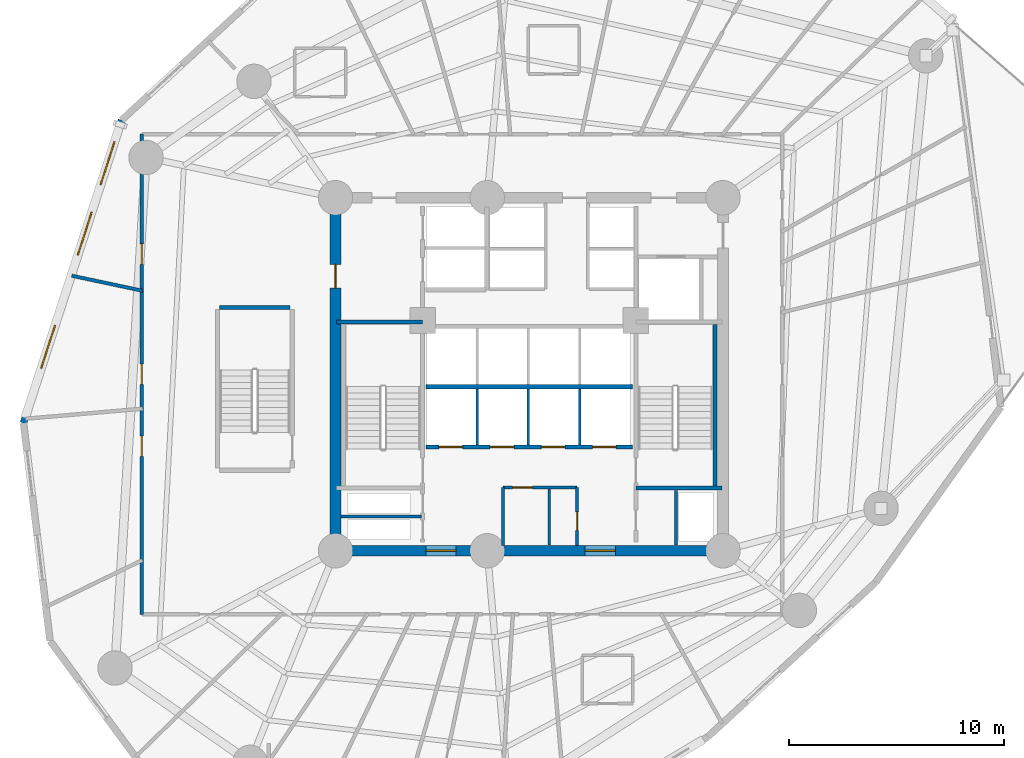
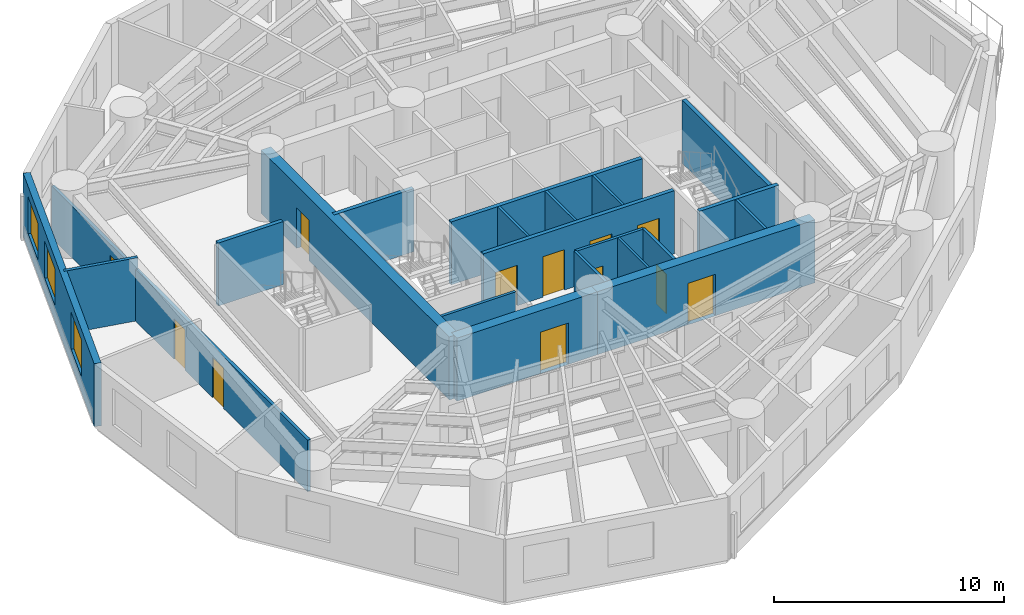
# One storey, part 4 of 10: 21 walls, 12 doors, 3 windows, 15 openings.
"""IFC4 building model written with IfcOpenShell, lengths in metres."""

from ifc_helpers import new_model, si_unit, direction, frame, frame_2d, origin, origin_with_axes, place, context, subcontext, project, spatial, rectangle, extrude, source, transform, mapped, material, layer, layer_set, type_object, element, fill, save


model = new_model("IFC4")

# Units and contexts
model_context = context("Model", 3, precision=1e-05, world=origin(), true_north=direction((0.0, 1.0)))
body_context = subcontext(model_context, "Body", "Model", "MODEL_VIEW")
ifc_project = project(units=[si_unit("LENGTHUNIT", "METRE"), si_unit("AREAUNIT", "SQUARE_METRE"), si_unit("VOLUMEUNIT", "CUBIC_METRE"), si_unit("PLANEANGLEUNIT", "RADIAN"), si_unit("MASSUNIT", "GRAM", prefix="KILO")], contexts=[model_context])

# Site, building, storey
site_placement = place(None, origin())
site = spatial("IfcSite", under=ifc_project, at=site_placement, CompositionType="ELEMENT")
building_placement = place(site_placement, origin())
building = spatial("IfcBuilding", under=site, at=building_placement, Name="Karkom Vertical University and Central Library", CompositionType="ELEMENT")
storey_placement = place(building_placement, frame((0.0, 0.0, 66.10009765625)))
storey = spatial("IfcBuildingStorey", under=building, at=storey_placement, Name="L17", CompositionType="ELEMENT", Elevation=66.10009765625)

# Wall, openings, windows
ifc_material_1 = material(Name="Brick-faced precast concrete C45/55", Category="masonry")
ifc_layer_1 = layer(ifc_material_1, 0.320068359375)
ifc_layer_set_1 = layer_set([ifc_layer_1], Name="Brick-faced precast concrete C45/55")
wall_type_1 = type_object("IfcWallType", Name="ENV-WL-BRK-320", PredefinedType="SOLIDWALL", material=ifc_layer_set_1)
wall_1_placement = place(storey_placement, frame((9.558837890625, 38.305908203125, 0.0), z_axis=(0.0, 0.0, 1.0), x_axis=(-0.30804045588, -0.95137325879, 0.0)))
wall_1 = element("IfcWall", 1, at=wall_1_placement, inside=storey, type_object=wall_type_1, Name="Level 17 Brick-Faced Precast Facade Wall 01", PredefinedType="SOLIDWALL", context=body_context, shape_type="SweptSolid", body=[
    extrude(rectangle(XDim=14.790771484375, YDim=0.320068359375, at=frame_2d((7.3955078125, 0.0))), origin(), (0.0, 0.0, 1.0), 3.349853515625),
])
opening_1_placement = place(wall_1_placement, frame((1.051513671875, 0.0, 0.85009765625)))
opening_1 = element("IfcOpeningElement", 2, at=opening_1_placement, cuts=wall_1, Name="Opening WN-03", PredefinedType="OPENING", context=body_context, shape_type="SweptSolid", body=[
    extrude(rectangle(XDim=2.10009765625, YDim=1.949951171875, at=frame_2d((1.050048828125, 0.97509765625))), frame((0.0, 0.169921875, 0.0), z_axis=(0.0, -1.0, 0.0), x_axis=(1.0, 0.0, 0.0)), (0.0, 0.0, 1.0), 0.340087890625),
])
opening_2_placement = place(wall_1_placement, frame((4.494140625, 0.0, 0.85009765625)))
opening_2 = element("IfcOpeningElement", 3, at=opening_2_placement, cuts=wall_1, Name="Opening WN-03", PredefinedType="OPENING", context=body_context, shape_type="SweptSolid", body=[
    extrude(rectangle(XDim=2.10009765625, YDim=1.949951171875, at=frame_2d((1.050048828125, 0.97509765625))), frame((0.0, 0.169921875, 0.0), z_axis=(0.0, -1.0, 0.0), x_axis=(1.0, 0.0, 0.0)), (0.0, 0.0, 1.0), 0.340087890625),
])
opening_3_placement = place(wall_1_placement, frame((10.02197265625, 0.0, 0.85009765625)))
opening_3 = element("IfcOpeningElement", 4, at=opening_3_placement, cuts=wall_1, Name="Opening WN-03", PredefinedType="OPENING", context=body_context, shape_type="SweptSolid", body=[
    extrude(rectangle(XDim=2.10009765625, YDim=1.949951171875, at=frame_2d((1.050048828125, 0.97509765625))), frame((0.0, 0.169921875, 0.0), z_axis=(0.0, -1.0, 0.0), x_axis=(1.0, 0.0, 0.0)), (0.0, 0.0, 1.0), 0.340087890625),
])
ifc_material_2 = material(Name="Aluminium thermal-break frame with solar-control IGU", Category="aluminium")
window_type = type_object("IfcWindowType", Name="ENV-WIN-WN-03", PartitioningType="SINGLE_PANEL", PredefinedType="WINDOW", material=ifc_material_2)
shared_shape_1 = source(origin_with_axes(), body_context, "Body", "SweptSolid", [
    extrude(rectangle(XDim=2.10009765625, YDim=1.949951171875, at=frame_2d((1.050048828125, 0.97509765625))), frame((0.0, 0.030029296875, 0.0), z_axis=(0.0, -1.0, 0.0), x_axis=(1.0, 0.0, 0.0)), (0.0, 0.0, 1.0), 0.06005859375),
])
window_1_placement = place(opening_1_placement, origin())
window_1 = element("IfcWindow", 5, at=window_1_placement, inside=storey, type_object=window_type, Name="Level 17 Punched Window 1.1", OverallHeight=1.949951171875, OverallWidth=2.10009765625, PartitioningType="SINGLE_PANEL", PredefinedType="WINDOW", context=body_context, shape_type="MappedRepresentation", body=[
    mapped(shared_shape_1, transform((0.0, 0.0, 0.0), scale=1.0)),
])
fill(opening_1, window_1)
window_2_placement = place(opening_2_placement, origin())
window_2 = element("IfcWindow", 6, at=window_2_placement, inside=storey, type_object=window_type, Name="Level 17 Punched Window 1.2", OverallHeight=1.949951171875, OverallWidth=2.10009765625, PartitioningType="SINGLE_PANEL", PredefinedType="WINDOW", context=body_context, shape_type="MappedRepresentation", body=[
    mapped(shared_shape_1, transform((0.0, 0.0, 0.0), scale=1.0)),
])
fill(opening_2, window_2)
window_3_placement = place(opening_3_placement, origin())
window_3 = element("IfcWindow", 7, at=window_3_placement, inside=storey, type_object=window_type, Name="Level 17 Punched Window 1.3", OverallHeight=1.949951171875, OverallWidth=2.10009765625, PartitioningType="SINGLE_PANEL", PredefinedType="WINDOW", context=body_context, shape_type="MappedRepresentation", body=[
    mapped(shared_shape_1, transform((0.0, 0.0, 0.0), scale=1.0)),
])
fill(opening_3, window_3)

# Wall, openings, doors
ifc_material_3 = material(Name="Insulated metal-stud drywall 160mm", Category="gypsum")
ifc_layer_2 = layer(ifc_material_3, 0.159912109375)
ifc_layer_set_2 = layer_set([ifc_layer_2], Name="Insulated metal-stud drywall 160mm")
wall_type_2 = type_object("IfcWallType", Name="INT-WL-COR-160", PredefinedType="PARTITIONING", material=ifc_layer_set_2)
wall_2_placement = place(storey_placement, frame((10.5, 15.35009765625, 0.0), z_axis=(0.0, 0.0, 1.0), x_axis=(0.0, 1.0, 0.0)))
wall_2 = element("IfcWall", 8, at=wall_2_placement, inside=storey, type_object=wall_type_2, Name="Level 17 Interior Partition Wall L17-CORW-CW-002", PredefinedType="PARTITIONING", context=body_context, shape_type="SweptSolid", body=[
    extrude(rectangle(XDim=22.2998046875, YDim=0.159912109375, at=frame_2d((11.14990234375, 0.0))), origin(), (0.0, 0.0, 1.0), 2.75),
])
opening_4_placement = place(wall_2_placement, frame((7.330078125, 0.0, 0.0)))
opening_4 = element("IfcOpeningElement", 9, at=opening_4_placement, cuts=wall_2, Name="Opening D-RM1", PredefinedType="OPENING", context=body_context, shape_type="SweptSolid", body=[
    extrude(rectangle(XDim=0.949951171875, YDim=2.14990234375, at=frame_2d((0.47509765625, 1.074951171875))), frame((0.0, 0.08984375, 0.0), z_axis=(0.0, -1.0, 0.0), x_axis=(1.0, 0.0, 0.0)), (0.0, 0.0, 1.0), 0.179931640625),
])
opening_5_placement = place(wall_2_placement, frame((16.25, 0.0, 0.0)))
opening_5 = element("IfcOpeningElement", 10, at=opening_5_placement, cuts=wall_2, Name="Opening FD-RM2", PredefinedType="OPENING", context=body_context, shape_type="SweptSolid", body=[
    extrude(rectangle(XDim=0.9599609375, YDim=2.14990234375, at=frame_2d((0.47998046875, 1.074951171875))), frame((0.0, 0.08984375, 0.0), z_axis=(0.0, -1.0, 0.0), x_axis=(1.0, 0.0, 0.0)), (0.0, 0.0, 1.0), 0.179931640625),
])
opening_6_placement = place(wall_2_placement, frame((10.675048828125, 0.0, 0.0)))
opening_6 = element("IfcOpeningElement", 11, at=opening_6_placement, cuts=wall_2, Name="Opening D-RM1", PredefinedType="OPENING", context=body_context, shape_type="SweptSolid", body=[
    extrude(rectangle(XDim=0.949951171875, YDim=2.14990234375, at=frame_2d((0.47509765625, 1.074951171875))), frame((0.0, 0.08984375, 0.0), z_axis=(0.0, -1.0, 0.0), x_axis=(1.0, 0.0, 0.0)), (0.0, 0.0, 1.0), 0.179931640625),
])
ifc_material_4 = material(Name="Fire-rated oak veneer door", Category="wood")
door_type_1 = type_object("IfcDoorType", Name="INT-DR-FRM2", OperationType="NOTDEFINED", PredefinedType="DOOR", material=ifc_material_4)
shared_shape_2 = source(origin_with_axes(), body_context, "Body", "SweptSolid", [
    extrude(rectangle(XDim=0.9599609375, YDim=2.14990234375, at=frame_2d((0.47998046875, 1.074951171875))), frame((0.0, 0.02490234375, 0.0), z_axis=(0.0, -1.0, 0.0), x_axis=(1.0, 0.0, 0.0)), (0.0, 0.0, 1.0), 0.050048828125),
])
door_1_placement = place(opening_5_placement, origin())
door_1 = element("IfcDoor", 12, at=door_1_placement, inside=storey, type_object=door_type_1, Name="Level 17 Room Entry Door 230", OperationType="SINGLE_SWING_RIGHT", OverallHeight=2.14990234375, OverallWidth=0.9599609375, PredefinedType="DOOR", context=body_context, shape_type="MappedRepresentation", body=[
    mapped(shared_shape_2, transform((0.0, 0.0, 0.0), scale=1.0)),
])
fill(opening_5, door_1)
ifc_material_5 = material(Name="Solid-core oak veneer door", Category="wood")
door_type_2 = type_object("IfcDoorType", Name="INT-DR-RM1", OperationType="NOTDEFINED", PredefinedType="DOOR", material=ifc_material_5)
shared_shape_3 = source(origin_with_axes(), body_context, "Body", "SweptSolid", [
    extrude(rectangle(XDim=0.949951171875, YDim=2.14990234375, at=frame_2d((0.47509765625, 1.074951171875))), frame((0.0, 0.02490234375, 0.0), z_axis=(0.0, -1.0, 0.0), x_axis=(1.0, 0.0, 0.0)), (0.0, 0.0, 1.0), 0.050048828125),
])
door_2_placement = place(opening_4_placement, origin())
door_2 = element("IfcDoor", 13, at=door_2_placement, inside=storey, type_object=door_type_2, Name="Level 17 Room Entry Door 000", OperationType="SINGLE_SWING_RIGHT", OverallHeight=2.14990234375, OverallWidth=0.949951171875, PredefinedType="DOOR", context=body_context, shape_type="MappedRepresentation", body=[
    mapped(shared_shape_3, transform((0.0, 0.0, 0.0), scale=1.0)),
])
fill(opening_4, door_2)
door_3_placement = place(opening_6_placement, origin())
door_3 = element("IfcDoor", 14, at=door_3_placement, inside=storey, type_object=door_type_2, Name="Level 17 Room Entry Door 240", OperationType="SINGLE_SWING_LEFT", OverallHeight=2.14990234375, OverallWidth=0.949951171875, PredefinedType="DOOR", context=body_context, shape_type="MappedRepresentation", body=[
    mapped(shared_shape_3, transform((0.0, 0.0, 0.0), scale=1.0)),
])
fill(opening_6, door_3)

# Walls
wall_3_placement = place(storey_placement, frame((10.5439453125, 30.376953125, 0.0), z_axis=(0.0, 0.0, 1.0), x_axis=(-0.978166393073, 0.207823260158, 0.0)))
element("IfcWall", 15, at=wall_3_placement, inside=storey, type_object=wall_type_2, Name="Level 17 Interior Partition Wall L17-PW-029", PredefinedType="PARTITIONING", context=body_context, shape_type="SweptSolid", body=[
    extrude(rectangle(XDim=3.372802734375, YDim=0.159912109375, at=frame_2d((1.6865234375, 0.0))), origin(), (0.0, 0.0, 1.0), 3.349853515625),
])
ifc_material_6 = material(Name="Moisture-resistant drywall 120mm", Category="gypsum")
ifc_layer_3 = layer(ifc_material_6, 0.1201171875)
ifc_layer_set_3 = layer_set([ifc_layer_3], Name="Moisture-resistant drywall 120mm")
wall_type_3 = type_object("IfcWallType", Name="INT-WL-INT-120", PredefinedType="PARTITIONING", material=ifc_layer_set_3)
wall_4_placement = place(storey_placement, frame((29.419921875, 18.556884765625, 0.0), z_axis=(0.0, 0.0, 1.0), x_axis=(0.0, 1.0, 0.0)))
element("IfcWall", 16, at=wall_4_placement, inside=storey, type_object=wall_type_3, Name="Level 17 Interior Partition Wall L17-CW-K3-DIV", PredefinedType="PARTITIONING", context=body_context, shape_type="SweptSolid", body=[
    extrude(rectangle(XDim=2.611083984375, YDim=0.1201171875, at=frame_2d((1.3056640625, 0.0))), origin(), (0.0, 0.0, 1.0), 3.349853515625),
])
ifc_layer_4 = layer(ifc_material_6, 0.1201171875)
ifc_layer_set_4 = layer_set([ifc_layer_4], Name="Moisture-resistant drywall 120mm")
wall_type_4 = type_object("IfcWallType", Name="INT-WL-INT-120H", PredefinedType="PARTITIONING", material=ifc_layer_set_4)
for number, where, z_axis, x_axis, name in (
    (17, (26.080078125, 23.219970703125, 0.0), (0.0, 0.0, 1.0), (0.0, 1.0, 0.0), "Level 17 Interior Partition Wall L17-CW-PL-DIV1"),
    (18, (28.4599609375, 23.219970703125, 0.0), (0.0, 0.0, 1.0), (0.0, 1.0, 0.0), "Level 17 Interior Partition Wall L17-CW-PL-DIV2"),
    (19, (30.840087890625, 23.219970703125, 0.0), (0.0, 0.0, 1.0), (0.0, 1.0, 0.0), "Level 17 Interior Partition Wall L17-CW-PL-DIV3"),
):
    element("IfcWall", number, at=place(storey_placement, frame(where, z_axis=z_axis, x_axis=x_axis)), inside=storey, type_object=wall_type_4, Name=name, PredefinedType="PARTITIONING", context=body_context, shape_type="SweptSolid", body=[
        extrude(rectangle(XDim=2.60009765625, YDim=0.1201171875, at=frame_2d((1.300048828125, 0.0))), origin(), (0.0, 0.0, 1.0), 3.349853515625),
    ])

# Wall, opening, door
ifc_material_7 = material(Name="Metal-stud gypsum partition 140mm", Category="gypsum")
ifc_layer_5 = layer(ifc_material_7, 0.139892578125)
ifc_layer_set_5 = layer_set([ifc_layer_5], Name="Metal-stud gypsum partition 140mm")
wall_type_5 = type_object("IfcWallType", Name="INT-WL-SUB-140", PredefinedType="PARTITIONING", material=ifc_layer_set_5)
wall_5_placement = place(storey_placement, frame((27.280029296875, 21.239990234375, 0.0), z_axis=(0.0, 0.0, 1.0), x_axis=(1.0, 0.0, 0.0)))
wall_5 = element("IfcWall", 20, at=wall_5_placement, inside=storey, type_object=wall_type_5, Name="Level 17 Interior Partition Wall L17-CW-KBAY-N", PredefinedType="PARTITIONING", context=body_context, shape_type="SweptSolid", body=[
    extrude(rectangle(XDim=3.43994140625, YDim=0.139892578125, at=frame_2d((1.719970703125, 0.0))), origin(), (0.0, 0.0, 1.0), 3.349853515625),
])
opening_7_placement = place(wall_5_placement, frame((0.449951171875, 0.0, 0.0)))
opening_7 = element("IfcOpeningElement", 21, at=opening_7_placement, cuts=wall_5, Name="Opening D-SVC1", PredefinedType="OPENING", context=body_context, shape_type="SweptSolid", body=[
    extrude(rectangle(XDim=0.919921875, YDim=2.10009765625, at=frame_2d((0.4599609375, 1.050048828125))), frame((0.0, 0.080078125, 0.0), z_axis=(0.0, -1.0, 0.0), x_axis=(1.0, 0.0, 0.0)), (0.0, 0.0, 1.0), 0.159912109375),
])
ifc_material_8 = material(Name="Painted timber service door", Category="wood")
door_type_3 = type_object("IfcDoorType", Name="INT-DR-SVC1", OperationType="NOTDEFINED", PredefinedType="DOOR", material=ifc_material_8)
shared_shape_4 = source(origin_with_axes(), body_context, "Body", "SweptSolid", [
    extrude(rectangle(XDim=0.919921875, YDim=2.10009765625, at=frame_2d((0.4599609375, 1.050048828125))), frame((0.0, 0.02490234375, 0.0), z_axis=(0.0, -1.0, 0.0), x_axis=(1.0, 0.0, 0.0)), (0.0, 0.0, 1.0), 0.050048828125),
])
door_4_placement = place(opening_7_placement, origin())
door_4 = element("IfcDoor", 22, at=door_4_placement, inside=storey, type_object=door_type_3, Name="Level 17 Copy Room Door", OperationType="SINGLE_SWING_LEFT", OverallHeight=2.10009765625, OverallWidth=0.919921875, PredefinedType="DOOR", context=body_context, shape_type="MappedRepresentation", body=[
    mapped(shared_shape_4, transform((0.0, 0.0, 0.0), scale=1.0)),
])
fill(opening_7, door_4)

# Wall
wall_6_placement = place(storey_placement, frame((27.280029296875, 18.550048828125, 0.0), z_axis=(0.0, 0.0, 1.0), x_axis=(0.0, 1.0, 0.0)))
element("IfcWall", 23, at=wall_6_placement, inside=storey, type_object=wall_type_5, Name="Level 17 Interior Partition Wall L17-CW-KBAY-W", PredefinedType="PARTITIONING", context=body_context, shape_type="SweptSolid", body=[
    extrude(rectangle(XDim=2.68994140625, YDim=0.139892578125, at=frame_2d((1.344970703125, 0.0))), origin(), (0.0, 0.0, 1.0), 3.349853515625),
])

# Wall, opening, door
wall_7_placement = place(storey_placement, frame((30.719970703125, 18.550048828125, 0.0), z_axis=(0.0, 0.0, 1.0), x_axis=(0.0, 1.0, 0.0)))
wall_7 = element("IfcWall", 24, at=wall_7_placement, inside=storey, type_object=wall_type_5, Name="Level 17 Interior Partition Wall L17-CW-KBAY-E", PredefinedType="PARTITIONING", context=body_context, shape_type="SweptSolid", body=[
    extrude(rectangle(XDim=2.68994140625, YDim=0.139892578125, at=frame_2d((1.344970703125, 0.0))), origin(), (0.0, 0.0, 1.0), 3.349853515625),
])
opening_8_placement = place(wall_7_placement, frame((0.699951171875, 0.0, 0.0)))
opening_8 = element("IfcOpeningElement", 25, at=opening_8_placement, cuts=wall_7, Name="Opening D-BATH", PredefinedType="OPENING", context=body_context, shape_type="SweptSolid", body=[
    extrude(rectangle(XDim=0.860107421875, YDim=2.10009765625, at=frame_2d((0.43017578125, 1.050048828125))), frame((0.0, 0.080078125, 0.0), z_axis=(0.0, -1.0, 0.0), x_axis=(1.0, 0.0, 0.0)), (0.0, 0.0, 1.0), 0.159912109375),
])
ifc_material_9 = material(Name="Moisture-resistant oak door", Category="wood")
door_type_4 = type_object("IfcDoorType", Name="INT-DR-BATH", OperationType="NOTDEFINED", PredefinedType="DOOR", material=ifc_material_9)
shared_shape_5 = source(origin_with_axes(), body_context, "Body", "SweptSolid", [
    extrude(rectangle(XDim=0.860107421875, YDim=2.10009765625, at=frame_2d((0.43017578125, 1.050048828125))), frame((0.0, 0.02490234375, 0.0), z_axis=(0.0, -1.0, 0.0), x_axis=(1.0, 0.0, 0.0)), (0.0, 0.0, 1.0), 0.050048828125),
])
door_5_placement = place(opening_8_placement, origin())
door_5 = element("IfcDoor", 26, at=door_5_placement, inside=storey, type_object=door_type_4, Name="Level 17 Janitor Door", OperationType="SINGLE_SWING_RIGHT", OverallHeight=2.10009765625, OverallWidth=0.860107421875, PredefinedType="DOOR", context=body_context, shape_type="MappedRepresentation", body=[
    mapped(shared_shape_5, transform((0.0, 0.0, 0.0), scale=1.0)),
])
fill(opening_8, door_5)

# Walls
ifc_layer_6 = layer(ifc_material_7, 0.139892578125)
ifc_layer_set_6 = layer_set([ifc_layer_6], Name="Metal-stud gypsum partition 140mm")
wall_type_6 = type_object("IfcWallType", Name="INT-WL-SUB-140H", PredefinedType="PARTITIONING", material=ifc_layer_set_6)
wall_8_placement = place(storey_placement, frame((19.757080078125, 19.889892578125, 0.0), z_axis=(0.0, 0.0, 1.0), x_axis=(1.0, 0.0, 0.0)))
element("IfcWall", 27, at=wall_8_placement, inside=storey, type_object=wall_type_6, Name="Level 17 Interior Partition Wall L17-CW-RIS-W", PredefinedType="PARTITIONING", context=body_context, shape_type="SweptSolid", body=[
    extrude(rectangle(XDim=3.7392578125, YDim=0.139892578125, at=frame_2d((1.86962890625, 0.0))), origin(), (0.0, 0.0, 1.0), 3.349853515625),
])
wall_9_placement = place(storey_placement, frame((35.320068359375, 18.556884765625, 0.0), z_axis=(0.0, 0.0, 1.0), x_axis=(0.0, 1.0, 0.0)))
element("IfcWall", 28, at=wall_9_placement, inside=storey, type_object=wall_type_6, Name="Level 17 Interior Partition Wall L17-CW-RIS-E", PredefinedType="PARTITIONING", context=body_context, shape_type="SweptSolid", body=[
    extrude(rectangle(XDim=2.553466796875, YDim=0.139892578125, at=frame_2d((1.27685546875, 0.0))), origin(), (0.0, 0.0, 1.0), 3.349853515625),
])

# Wall, opening, door
ifc_material_10 = material(Name="Concrete C50/60", Category="concrete")
ifc_layer_7 = layer(ifc_material_10, 0.5)
ifc_layer_set_7 = layer_set([ifc_layer_7], Name="Concrete C50/60")
wall_type_7 = type_object("IfcWallType", Name="STR-WL-CW-500", PredefinedType="SHEAR", material=ifc_layer_set_7)
wall_10_placement = place(storey_placement, frame((19.5, 18.300048828125, 0.0), z_axis=(0.0, 0.0, 1.0), x_axis=(1.0, 0.0, 0.0)))
wall_10 = element("IfcWall", 29, at=wall_10_placement, inside=storey, type_object=wall_type_7, Name="Level 17 Central Core Shear Wall SW1", PredefinedType="SHEAR", context=body_context, shape_type="SweptSolid", body=[
    extrude(rectangle(XDim=7.050048828125, YDim=0.5, at=frame_2d((3.52490234375, 0.0))), origin(), (0.0, 0.0, 1.0), 3.349853515625),
])
opening_9_placement = place(wall_10_placement, frame((4.199951171875, 0.0, 0.0)))
opening_9 = element("IfcOpeningElement", 30, at=opening_9_placement, cuts=wall_10, Name="Opening FD-CLB", PredefinedType="OPENING", context=body_context, shape_type="SweptSolid", body=[
    extrude(rectangle(XDim=1.39990234375, YDim=2.199951171875, at=frame_2d((0.699951171875, 1.10009765625))), frame((0.0, 0.260009765625, 0.0), z_axis=(0.0, -1.0, 0.0), x_axis=(1.0, 0.0, 0.0)), (0.0, 0.0, 1.0), 0.52001953125),
])
ifc_material_11 = material(Name="Painted steel fire door", Category="steel")
door_type_5 = type_object("IfcDoorType", Name="INT-DR-CLB", OperationType="DOUBLE_DOOR_SINGLE_SWING", PredefinedType="DOOR", material=ifc_material_11)
shared_shape_6 = source(origin_with_axes(), body_context, "Body", "SweptSolid", [
    extrude(rectangle(XDim=1.39990234375, YDim=2.199951171875, at=frame_2d((0.699951171875, 1.10009765625))), frame((0.0, 0.02490234375, 0.0), z_axis=(0.0, -1.0, 0.0), x_axis=(1.0, 0.0, 0.0)), (0.0, 0.0, 1.0), 0.050048828125),
])
door_6_placement = place(opening_9_placement, origin())
door_6 = element("IfcDoor", 31, at=door_6_placement, inside=storey, type_object=door_type_5, Name="Level 17 South Core Lobby West Exit Door", OperationType="DOUBLE_DOOR_SINGLE_SWING", OverallHeight=2.199951171875, OverallWidth=1.39990234375, PredefinedType="DOOR", context=body_context, shape_type="MappedRepresentation", body=[
    mapped(shared_shape_6, transform((0.0, 0.0, 0.0), scale=1.0)),
])
fill(opening_9, door_6)

wall_11_placement = place(storey_placement, frame((26.550048828125, 18.300048828125, 0.0), z_axis=(0.0, 0.0, 1.0), x_axis=(1.0, 0.0, 0.0)))
wall_11 = element("IfcWall", 32, at=wall_11_placement, inside=storey, type_object=wall_type_7, Name="Level 17 Central Core Shear Wall SW2", PredefinedType="SHEAR", context=body_context, shape_type="SweptSolid", body=[
    extrude(rectangle(XDim=10.949951171875, YDim=0.5, at=frame_2d((5.47509765625, 0.0))), origin(), (0.0, 0.0, 1.0), 3.349853515625),
])
opening_10_placement = place(wall_11_placement, frame((4.550048828125, 0.0, 0.0)))
opening_10 = element("IfcOpeningElement", 33, at=opening_10_placement, cuts=wall_11, Name="Opening FD-CLB", PredefinedType="OPENING", context=body_context, shape_type="SweptSolid", body=[
    extrude(rectangle(XDim=1.39990234375, YDim=2.199951171875, at=frame_2d((0.699951171875, 1.10009765625))), frame((0.0, 0.260009765625, 0.0), z_axis=(0.0, -1.0, 0.0), x_axis=(1.0, 0.0, 0.0)), (0.0, 0.0, 1.0), 0.52001953125),
])
door_7_placement = place(opening_10_placement, origin())
door_7 = element("IfcDoor", 34, at=door_7_placement, inside=storey, type_object=door_type_5, Name="Level 17 South Core Lobby East Exit Door", OperationType="DOUBLE_DOOR_SINGLE_SWING", OverallHeight=2.199951171875, OverallWidth=1.39990234375, PredefinedType="DOOR", context=body_context, shape_type="MappedRepresentation", body=[
    mapped(shared_shape_6, transform((0.0, 0.0, 0.0), scale=1.0)),
])
fill(opening_10, door_7)

wall_12_placement = place(storey_placement, frame((19.5, 34.699951171875, 0.0), z_axis=(0.0, 0.0, 1.0), x_axis=(0.0, -1.0, 0.0)))
wall_12 = element("IfcWall", 35, at=wall_12_placement, inside=storey, type_object=wall_type_7, Name="Level 17 Central Core Shear Wall WW", PredefinedType="SHEAR", context=body_context, shape_type="SweptSolid", body=[
    extrude(rectangle(XDim=16.39990234375, YDim=0.5, at=frame_2d((8.199951171875, 0.0))), origin(), (0.0, 0.0, 1.0), 3.349853515625),
])
opening_11_placement = place(wall_12_placement, frame((3.10009765625, 0.0, 0.0)))
opening_11 = element("IfcOpeningElement", 36, at=opening_11_placement, cuts=wall_12, Name="Opening FD-FFL", PredefinedType="OPENING", context=body_context, shape_type="SweptSolid", body=[
    extrude(rectangle(XDim=1.10009765625, YDim=2.14990234375, at=frame_2d((0.550048828125, 1.074951171875))), frame((0.0, 0.260009765625, 0.0), z_axis=(0.0, -1.0, 0.0), x_axis=(1.0, 0.0, 0.0)), (0.0, 0.0, 1.0), 0.52001953125),
])
ifc_material_12 = material(Name="Painted steel smoke-seal fire door", Category="steel")
door_type_6 = type_object("IfcDoorType", Name="INT-DR-FFL", OperationType="NOTDEFINED", PredefinedType="DOOR", material=ifc_material_12)
shared_shape_7 = source(origin_with_axes(), body_context, "Body", "SweptSolid", [
    extrude(rectangle(XDim=1.10009765625, YDim=2.14990234375, at=frame_2d((0.550048828125, 1.074951171875))), frame((0.0, 0.02490234375, 0.0), z_axis=(0.0, -1.0, 0.0), x_axis=(1.0, 0.0, 0.0)), (0.0, 0.0, 1.0), 0.050048828125),
])
door_8_placement = place(opening_11_placement, origin())
door_8 = element("IfcDoor", 37, at=door_8_placement, inside=storey, type_object=door_type_6, Name="Level 17 West Corridor Firefighting Lobby Door", OperationType="SINGLE_SWING_LEFT", OverallHeight=2.14990234375, OverallWidth=1.10009765625, PredefinedType="DOOR", context=body_context, shape_type="MappedRepresentation", body=[
    mapped(shared_shape_7, transform((0.0, 0.0, 0.0), scale=1.0)),
])
fill(opening_11, door_8)

# Wall, openings, doors
ifc_material_13 = material(Name="Concrete C45/55", Category="concrete")
ifc_layer_8 = layer(ifc_material_13, 0.199951171875)
ifc_layer_set_8 = layer_set([ifc_layer_8], Name="Concrete C45/55")
wall_type_8 = type_object("IfcWallType", Name="STR-WL-ST-200", PredefinedType="SHEAR", material=ifc_layer_set_8)
wall_13_placement = place(storey_placement, frame((23.699951171875, 23.1201171875, 0.0), z_axis=(0.0, 0.0, 1.0), x_axis=(1.0, 0.0, 0.0)))
wall_13 = element("IfcWall", 38, at=wall_13_placement, inside=storey, type_object=wall_type_8, Name="Level 17 Core Shaft Wall L17-CW-B1-S", PredefinedType="SHEAR", context=body_context, shape_type="SweptSolid", body=[
    extrude(rectangle(XDim=9.60009765625, YDim=0.199951171875, at=frame_2d((4.800048828125, 0.0))), origin(), (0.0, 0.0, 1.0), 3.349853515625),
])
opening_12_placement = place(wall_13_placement, frame((0.60009765625, 0.0, 0.0)))
opening_12 = element("IfcOpeningElement", 39, at=opening_12_placement, cuts=wall_13, Name="Opening LD-PAX", PredefinedType="OPENING", context=body_context, shape_type="SweptSolid", body=[
    extrude(rectangle(XDim=1.10009765625, YDim=2.14990234375, at=frame_2d((0.550048828125, 1.074951171875))), frame((0.0, 0.10986328125, 0.0), z_axis=(0.0, -1.0, 0.0), x_axis=(1.0, 0.0, 0.0)), (0.0, 0.0, 1.0), 0.219970703125),
])
opening_13_placement = place(wall_13_placement, frame((2.97998046875, 0.0, 0.0)))
opening_13 = element("IfcOpeningElement", 40, at=opening_13_placement, cuts=wall_13, Name="Opening LD-PAX", PredefinedType="OPENING", context=body_context, shape_type="SweptSolid", body=[
    extrude(rectangle(XDim=1.10009765625, YDim=2.14990234375, at=frame_2d((0.550048828125, 1.074951171875))), frame((0.0, 0.10986328125, 0.0), z_axis=(0.0, -1.0, 0.0), x_axis=(1.0, 0.0, 0.0)), (0.0, 0.0, 1.0), 0.219970703125),
])
opening_14_placement = place(wall_13_placement, frame((5.360107421875, 0.0, 0.0)))
opening_14 = element("IfcOpeningElement", 41, at=opening_14_placement, cuts=wall_13, Name="Opening LD-PAX", PredefinedType="OPENING", context=body_context, shape_type="SweptSolid", body=[
    extrude(rectangle(XDim=1.10009765625, YDim=2.14990234375, at=frame_2d((0.550048828125, 1.074951171875))), frame((0.0, 0.10986328125, 0.0), z_axis=(0.0, -1.0, 0.0), x_axis=(1.0, 0.0, 0.0)), (0.0, 0.0, 1.0), 0.219970703125),
])
opening_15_placement = place(wall_13_placement, frame((7.739990234375, 0.0, 0.0)))
opening_15 = element("IfcOpeningElement", 42, at=opening_15_placement, cuts=wall_13, Name="Opening LD-PAX", PredefinedType="OPENING", context=body_context, shape_type="SweptSolid", body=[
    extrude(rectangle(XDim=1.10009765625, YDim=2.14990234375, at=frame_2d((0.550048828125, 1.074951171875))), frame((0.0, 0.10986328125, 0.0), z_axis=(0.0, -1.0, 0.0), x_axis=(1.0, 0.0, 0.0)), (0.0, 0.0, 1.0), 0.219970703125),
])
ifc_material_14 = material(Name="Brushed stainless-steel landing door", Category="steel")
door_type_7 = type_object("IfcDoorType", Name="INT-DR-LD-PAX", OperationType="SLIDING_TO_LEFT", PredefinedType="DOOR", material=ifc_material_14)
door_9_placement = place(opening_12_placement, origin())
door_9 = element("IfcDoor", 43, at=door_9_placement, inside=storey, type_object=door_type_7, Name="Level 17 Lift PL-1 Landing Door", OperationType="SLIDING_TO_LEFT", OverallHeight=2.14990234375, OverallWidth=1.10009765625, PredefinedType="DOOR", context=body_context, shape_type="MappedRepresentation", body=[
    mapped(shared_shape_7, transform((0.0, 0.0, 0.0), scale=1.0)),
])
fill(opening_12, door_9)
door_10_placement = place(opening_13_placement, origin())
door_10 = element("IfcDoor", 44, at=door_10_placement, inside=storey, type_object=door_type_7, Name="Level 17 Lift PL-2 Landing Door", OperationType="SLIDING_TO_RIGHT", OverallHeight=2.14990234375, OverallWidth=1.10009765625, PredefinedType="DOOR", context=body_context, shape_type="MappedRepresentation", body=[
    mapped(shared_shape_7, transform((0.0, 0.0, 0.0), scale=1.0)),
])
fill(opening_13, door_10)
door_11_placement = place(opening_14_placement, origin())
door_11 = element("IfcDoor", 45, at=door_11_placement, inside=storey, type_object=door_type_7, Name="Level 17 Lift PL-3 Landing Door", OperationType="SLIDING_TO_LEFT", OverallHeight=2.14990234375, OverallWidth=1.10009765625, PredefinedType="DOOR", context=body_context, shape_type="MappedRepresentation", body=[
    mapped(shared_shape_7, transform((0.0, 0.0, 0.0), scale=1.0)),
])
fill(opening_14, door_11)
door_12_placement = place(opening_15_placement, origin())
door_12 = element("IfcDoor", 46, at=door_12_placement, inside=storey, type_object=door_type_7, Name="Level 17 Lift PL-4 Landing Door", OperationType="SLIDING_TO_RIGHT", OverallHeight=2.14990234375, OverallWidth=1.10009765625, PredefinedType="DOOR", context=body_context, shape_type="MappedRepresentation", body=[
    mapped(shared_shape_7, transform((0.0, 0.0, 0.0), scale=1.0)),
])
fill(opening_15, door_12)

# Walls
wall_14_placement = place(storey_placement, frame((23.699951171875, 25.919921875, 0.0), z_axis=(0.0, 0.0, 1.0), x_axis=(1.0, 0.0, 0.0)))
element("IfcWall", 47, at=wall_14_placement, inside=storey, type_object=wall_type_8, Name="Level 17 Core Shaft Wall L17-CW-B1-N", PredefinedType="SHEAR", context=body_context, shape_type="SweptSolid", body=[
    extrude(rectangle(XDim=9.60009765625, YDim=0.199951171875, at=frame_2d((4.800048828125, 0.0))), origin(), (0.0, 0.0, 1.0), 3.349853515625),
])
wall_15_placement = place(storey_placement, frame((37.125, 21.320068359375, 0.0), z_axis=(0.0, 0.0, 1.0), x_axis=(0.0, 1.0, 0.0)))
element("IfcWall", 48, at=wall_15_placement, inside=storey, type_object=wall_type_8, Name="Level 17 Core Shaft Wall L17-CW-ST2-E", PredefinedType="SHEAR", context=body_context, shape_type="SweptSolid", body=[
    extrude(rectangle(XDim=7.5, YDim=0.199951171875, at=frame_2d((3.75, 0.0))), origin(), (0.0, 0.0, 1.0), 3.349853515625),
])
for number, where, z_axis, x_axis, name in (
    (49, (33.455078125, 21.215087890625, 0.0), (0.0, 0.0, 1.0), (1.0, 0.0, 0.0), "Level 17 Core Shaft Wall L17-CW-ST2-S"),
    (50, (19.550048828125, 28.925048828125, 0.0), (0.0, 0.0, 1.0), (1.0, 0.0, 0.0), "Level 17 Core Shaft Wall L17-CW-ST1-N"),
):
    element("IfcWall", number, at=place(storey_placement, frame(where, z_axis=z_axis, x_axis=x_axis)), inside=storey, type_object=wall_type_8, Name=name, PredefinedType="SHEAR", context=body_context, shape_type="SweptSolid", body=[
        extrude(rectangle(XDim=3.994873046875, YDim=0.199951171875, at=frame_2d((1.99755859375, 0.0))), origin(), (0.0, 0.0, 1.0), 3.349853515625),
    ])
wall_16_placement = place(storey_placement, frame((14.1201171875, 29.60498046875, 0.0), z_axis=(0.0, 0.0, 1.0), x_axis=(1.0, 0.0, 0.0)))
element("IfcWall", 51, at=wall_16_placement, inside=storey, type_object=wall_type_8, Name="Level 17 Core Shaft Wall L17-W-ST3-N", PredefinedType="SHEAR", context=body_context, shape_type="SweptSolid", body=[
    extrude(rectangle(XDim=3.259765625, YDim=0.199951171875, at=frame_2d((1.6298828125, 0.0))), origin(), (0.0, 0.0, 1.0), 3.349853515625),
])

save(model, "model.ifc")
